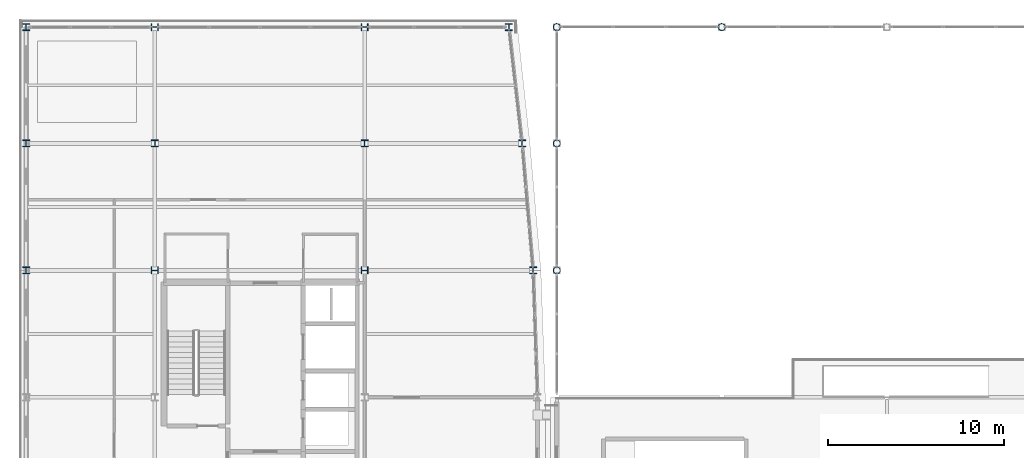
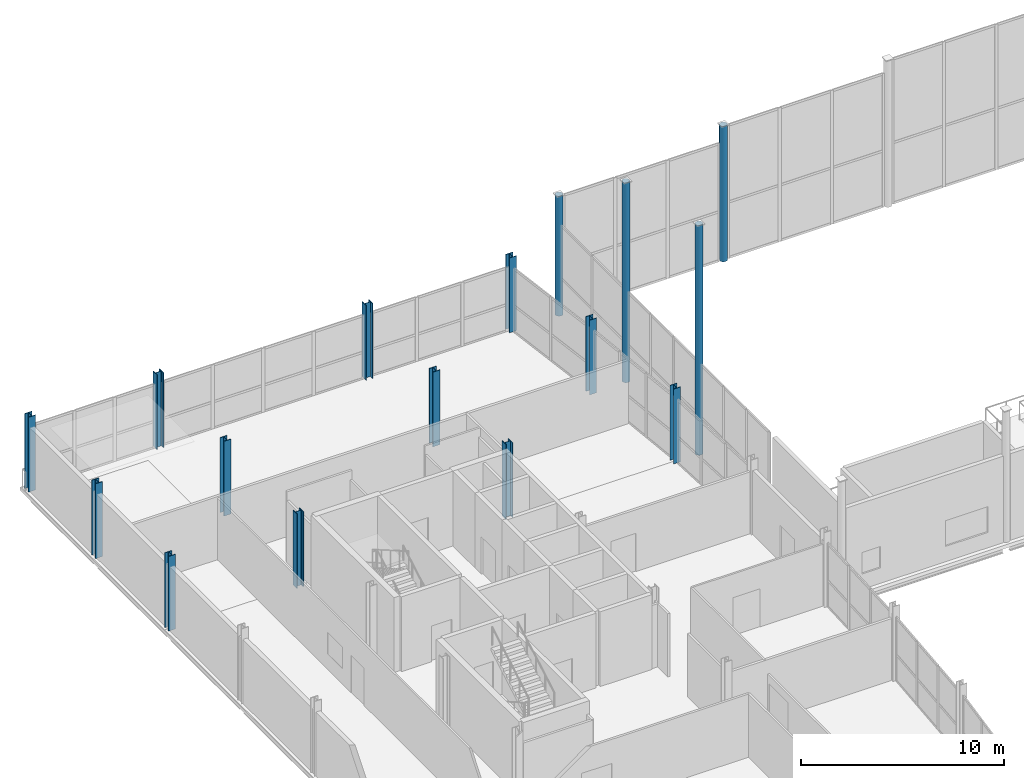
# One storey, part 5 of 77: 16 columns.
"""IFC4 building model written with IfcOpenShell, lengths in metres."""

from ifc_helpers import new_model, si_unit, direction, frame, origin, origin_2d, place, context, subcontext, project, spatial, hollow_circle, i_section, extrude, material, material_profile, profile_set, type_object, element, save


model = new_model("IFC4")

# Units and contexts
model_context = context("Model", 3, precision=1e-05, world=origin(), true_north=direction((0.0, 1.0)))
body_context = subcontext(model_context, "Body", "Model", "MODEL_VIEW")
ifc_project = project(units=[si_unit("LENGTHUNIT", "METRE"), si_unit("AREAUNIT", "SQUARE_METRE"), si_unit("VOLUMEUNIT", "CUBIC_METRE"), si_unit("PLANEANGLEUNIT", "RADIAN"), si_unit("MASSUNIT", "GRAM", prefix="KILO")], contexts=[model_context])

# Site, building, storey
site_placement = place(None, origin())
site = spatial("IfcSite", under=ifc_project, at=site_placement, CompositionType="ELEMENT")
building_placement = place(site_placement, origin())
building = spatial("IfcBuilding", under=site, at=building_placement, Name="Quillay Park Conservatory", CompositionType="ELEMENT")
storey_placement = place(building_placement, frame((0.0, 0.0, 5.39990234375)))
storey = spatial("IfcBuildingStorey", under=building, at=storey_placement, Name="L01", CompositionType="ELEMENT", Elevation=5.39990234375)

# Columns
ifc_material_1 = material(Name="Steel S355J2H", Category="steel")
ifc_material_profile_1 = material_profile(ifc_material_1, hollow_circle(Radius=0.203125, WallThickness=0.01611328125, at=origin_2d()), Name="CHS406.4x16")
ifc_profile_set_1 = profile_set([ifc_material_profile_1], Name="Steel S355J2H")
column_type_1 = type_object("IfcColumnType", Name="COMPOSITE STEEL COLUMN CHS406", PredefinedType="COLUMN", material=ifc_profile_set_1)
column_1_placement = place(storey_placement, frame((30.64990234375, 113.39990234375, 0.0), z_axis=(0.0, 0.0, 1.0), x_axis=(1.0, 0.0, 0.0)))
element("IfcColumn", 1, at=column_1_placement, inside=storey, type_object=column_type_1, Name="L01 column COL-V1-L01-0-1", PredefinedType="COLUMN", context=body_context, shape_type="SweptSolid", body=[
    extrude(hollow_circle(Radius=0.203125, WallThickness=0.01611328125, at=origin_2d()), origin(), (0.0, 0.0, 1.0), 7.204345703125),
])
column_2_placement = place(storey_placement, frame((40.005615234375, 113.39990234375, 0.0), z_axis=(0.0, 0.0, 1.0), x_axis=(1.0, 0.0, 0.0)))
element("IfcColumn", 2, at=column_2_placement, inside=storey, type_object=column_type_1, Name="L01 column COL-V1-L01-1-1", PredefinedType="COLUMN", context=body_context, shape_type="SweptSolid", body=[
    extrude(hollow_circle(Radius=0.203125, WallThickness=0.01611328125, at=origin_2d()), origin(), (0.0, 0.0, 1.0), 8.137939453125),
])
column_3_placement = place(storey_placement, frame((30.64990234375, 99.60009765625, 0.0), z_axis=(0.0, 0.0, 1.0), x_axis=(1.0, 0.0, 0.0)))
element("IfcColumn", 3, at=column_3_placement, inside=storey, type_object=column_type_1, Name="L01 column COL-V1E-L01-W-0", PredefinedType="COLUMN", context=body_context, shape_type="SweptSolid", body=[
    extrude(hollow_circle(Radius=0.203125, WallThickness=0.01611328125, at=origin_2d()), origin(), (0.0, 0.0, 1.0), 13.817626953125),
])
column_4_placement = place(storey_placement, frame((30.64990234375, 106.800048828125, 0.0), z_axis=(0.0, 0.0, 1.0), x_axis=(1.0, 0.0, 0.0)))
element("IfcColumn", 4, at=column_4_placement, inside=storey, type_object=column_type_1, Name="L01 column COL-V1E-L01-W-1", PredefinedType="COLUMN", context=body_context, shape_type="SweptSolid", body=[
    extrude(hollow_circle(Radius=0.203125, WallThickness=0.01611328125, at=origin_2d()), origin(), (0.0, 0.0, 1.0), 12.016845703125),
])
ifc_material_2 = material(Name="Steel ASTM A992 Grade 50", Category="steel")
ifc_material_profile_2 = material_profile(ifc_material_2, i_section(OverallWidth=0.39892578125, OverallDepth=0.39306640625, WebThickness=0.022705078125, FlangeThickness=0.0361328125, FilletRadius=0.014892578125, at=origin_2d()), Name="W360x287")
ifc_profile_set_2 = profile_set([ifc_material_profile_2], Name="Steel ASTM A992 Grade 50")
column_type_2 = type_object("IfcColumnType", Name="COMPOSITE STEEL COLUMN W360 X287", PredefinedType="COLUMN", material=ifc_profile_set_2)
for number, where, z_axis, x_axis, name in (
    (5, (0.550048828125, 99.60009765625, 0.0), (0.0, 0.0, 1.0), (1.0, 0.0, 0.0), "L01 column COL-V4-L01-5-0"),
    (6, (7.85009765625, 99.60009765625, 0.0), (0.0, 0.0, 1.0), (0.0, 1.0, 0.0), "L01 column COL-V4-L01-5-1"),
    (7, (19.75, 99.60009765625, 0.0), (0.0, 0.0, 1.0), (0.0, 1.0, 0.0), "L01 column COL-V4-L01-5-2"),
    (8, (29.300048828125, 99.60009765625, 0.0), (0.0, 0.0, 1.0), (1.0, 0.0, 0.0), "L01 column COL-V4-L01-5-3"),
    (9, (0.550048828125, 106.800048828125, 0.0), (0.0, 0.0, 1.0), (1.0, 0.0, 0.0), "L01 column COL-V4-L01-6-0"),
    (10, (7.85009765625, 106.800048828125, 0.0), (0.0, 0.0, 1.0), (1.0, 0.0, 0.0), "L01 column COL-V4-L01-6-1"),
    (11, (19.75, 106.800048828125, 0.0), (0.0, 0.0, 1.0), (1.0, 0.0, 0.0), "L01 column COL-V4-L01-6-2"),
    (12, (28.675048828125, 106.800048828125, 0.0), (0.0, 0.0, 1.0), (1.0, 0.0, 0.0), "L01 column COL-V4-L01-6-3"),
    (13, (0.550048828125, 113.39990234375, 0.0), (0.0, 0.0, 1.0), (1.0, 0.0, 0.0), "L01 column COL-V4-L01-7-0"),
    (14, (7.85009765625, 113.39990234375, 0.0), (0.0, 0.0, 1.0), (0.0, 1.0, 0.0), "L01 column COL-V4-L01-7-1"),
    (15, (19.75, 113.39990234375, 0.0), (0.0, 0.0, 1.0), (0.0, 1.0, 0.0), "L01 column COL-V4-L01-7-2"),
    (16, (27.925048828125, 113.39990234375, 0.0), (0.0, 0.0, 1.0), (1.0, 0.0, 0.0), "L01 column COL-V4-L01-7-3"),
):
    element("IfcColumn", number, at=place(storey_placement, frame(where, z_axis=z_axis, x_axis=x_axis)), inside=storey, type_object=column_type_2, Name=name, PredefinedType="COLUMN", context=body_context, shape_type="SweptSolid", body=[
        extrude(i_section(OverallWidth=0.39892578125, OverallDepth=0.39306640625, WebThickness=0.022705078125, FlangeThickness=0.0361328125, FilletRadius=0.014892578125, at=origin_2d()), origin(), (0.0, 0.0, 1.0), 4.5),
    ])

save(model, "model.ifc")
